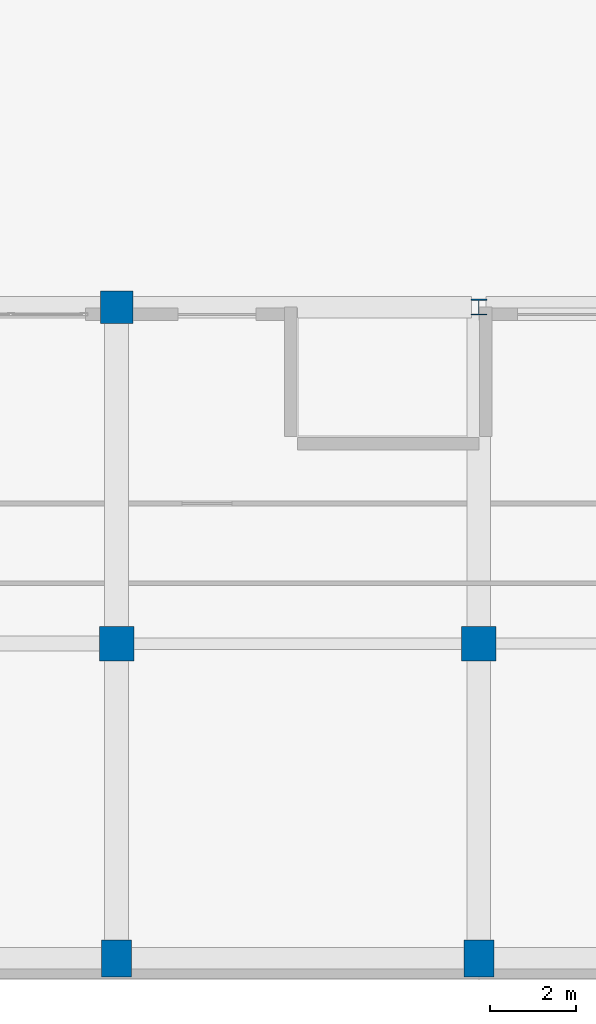
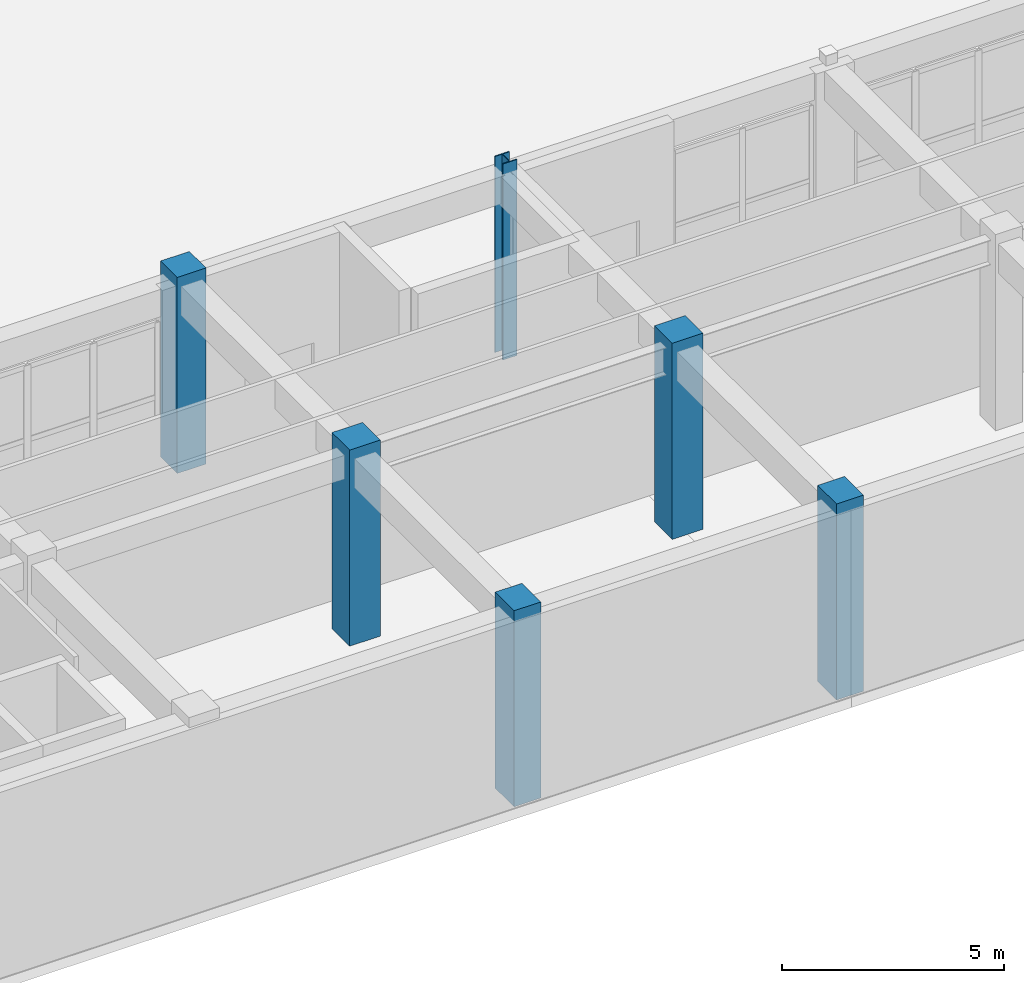
# One storey, part 2 of 148: 6 columns.
"""IFC4 building model written with IfcOpenShell, lengths in metres."""

from ifc_helpers import new_model, si_unit, direction, frame, origin, origin_2d, place, context, subcontext, project, spatial, rectangle, i_section, extrude, material, material_profile, profile_set, type_object, element, save


model = new_model("IFC4")

# Units and contexts
model_context = context("Model", 3, precision=1e-05, world=origin(), true_north=direction((0.0, 1.0)))
body_context = subcontext(model_context, "Body", "Model", "MODEL_VIEW")
ifc_project = project(units=[si_unit("LENGTHUNIT", "METRE"), si_unit("AREAUNIT", "SQUARE_METRE"), si_unit("VOLUMEUNIT", "CUBIC_METRE"), si_unit("PLANEANGLEUNIT", "RADIAN"), si_unit("MASSUNIT", "GRAM", prefix="KILO")], contexts=[model_context])

# Site, building, storey
site_placement = place(None, origin())
site = spatial("IfcSite", under=ifc_project, at=site_placement, CompositionType="ELEMENT")
building_placement = place(site_placement, origin())
building = spatial("IfcBuilding", under=site, at=building_placement, Name="Quendrovan Civic Courthouse", CompositionType="ELEMENT")
storey_placement = place(building_placement, origin())
storey = spatial("IfcBuildingStorey", under=building, at=storey_placement, Name="L01", CompositionType="ELEMENT", Elevation=0.0)

# Columns
ifc_material_1 = material(Name="Concrete C40/50", Category="concrete")
ifc_material_profile_1 = material_profile(ifc_material_1, rectangle(XDim=0.699951171875, YDim=0.85009765625, at=origin_2d()), Name="RC-COL-700x850")
ifc_profile_set_1 = profile_set([ifc_material_profile_1], Name="Concrete C40/50")
column_type_1 = type_object("IfcColumnType", Name="COL-RC-700x850", PredefinedType="COLUMN", material=ifc_profile_set_1)
for number, where, z_axis, x_axis, name in (
    (1, (50.39990234375, 0.5, 0.0), (0.0, 0.0, 1.0), (1.0, 0.0, 0.0), "L01 Column 7-A"),
    (2, (58.800048828125, 0.5, 0.0), (0.0, 0.0, 1.0), (1.0, 0.0, 0.0), "L01 Column 8-A"),
):
    element("IfcColumn", number, at=place(storey_placement, frame(where, z_axis=z_axis, x_axis=x_axis)), inside=storey, type_object=column_type_1, Name=name, PredefinedType="COLUMN", context=body_context, shape_type="SweptSolid", body=[
        extrude(rectangle(XDim=0.699951171875, YDim=0.85009765625, at=origin_2d()), origin(), (0.0, 0.0, 1.0), 5.39990234375),
    ])
ifc_material_2 = material(Name="Concrete C45/55", Category="concrete")
ifc_material_profile_2 = material_profile(ifc_material_2, rectangle(XDim=0.75, YDim=0.75, at=origin_2d()), Name="RC-COL-750x750")
ifc_profile_set_2 = profile_set([ifc_material_profile_2], Name="Concrete C45/55")
column_type_2 = type_object("IfcColumnType", Name="COL-RC750", PredefinedType="COLUMN", material=ifc_profile_set_2)
column_1_placement = place(storey_placement, frame((50.39990234375, 15.60009765625, 0.0), z_axis=(0.0, 0.0, 1.0), x_axis=(1.0, 0.0, 0.0)))
element("IfcColumn", 3, at=column_1_placement, inside=storey, type_object=column_type_2, Name="L01 Column 7-C", PredefinedType="COLUMN", context=body_context, shape_type="SweptSolid", body=[
    extrude(rectangle(XDim=0.75, YDim=0.75, at=origin_2d()), origin(), (0.0, 0.0, 1.0), 5.39990234375),
])
ifc_material_profile_3 = material_profile(ifc_material_2, rectangle(XDim=0.800048828125, YDim=0.800048828125, at=origin_2d()), Name="RC-COL-800x800")
ifc_profile_set_3 = profile_set([ifc_material_profile_3], Name="Concrete C45/55")
column_type_3 = type_object("IfcColumnType", Name="COL-RC800", PredefinedType="COLUMN", material=ifc_profile_set_3)
for number, where, z_axis, x_axis, name in (
    (4, (50.39990234375, 7.800048828125, 0.0), (0.0, 0.0, 1.0), (1.0, 0.0, 0.0), "L01 Column 7-B"),
    (5, (58.800048828125, 7.800048828125, 0.0), (0.0, 0.0, 1.0), (1.0, 0.0, 0.0), "L01 Column 8-B"),
):
    element("IfcColumn", number, at=place(storey_placement, frame(where, z_axis=z_axis, x_axis=x_axis)), inside=storey, type_object=column_type_3, Name=name, PredefinedType="COLUMN", context=body_context, shape_type="SweptSolid", body=[
        extrude(rectangle(XDim=0.800048828125, YDim=0.800048828125, at=origin_2d()), origin(), (0.0, 0.0, 1.0), 5.39990234375),
    ])
ifc_material_3 = material(Name="Steel ASTM A992 Grade 50", Category="steel")
ifc_material_profile_4 = material_profile(ifc_material_3, i_section(OverallWidth=0.3740234375, OverallDepth=0.3720703125, WebThickness=0.016357421875, FlangeThickness=0.026123046875, at=origin_2d()), Name="W14X132")
ifc_profile_set_4 = profile_set([ifc_material_profile_4], Name="Steel ASTM A992 Grade 50")
column_type_4 = type_object("IfcColumnType", Name="COL-STL-W14X132", PredefinedType="COLUMN", material=ifc_profile_set_4)
column_2_placement = place(storey_placement, frame((58.800048828125, 15.60009765625, 0.0), z_axis=(0.0, 0.0, 1.0), x_axis=(1.0, 0.0, 0.0)))
element("IfcColumn", 6, at=column_2_placement, inside=storey, type_object=column_type_4, Name="L01 Column 8-C", PredefinedType="COLUMN", context=body_context, shape_type="SweptSolid", body=[
    extrude(i_section(OverallWidth=0.3740234375, OverallDepth=0.3720703125, WebThickness=0.016357421875, FlangeThickness=0.026123046875, at=origin_2d()), origin(), (0.0, 0.0, 1.0), 5.39990234375),
])

save(model, "model.ifc")
